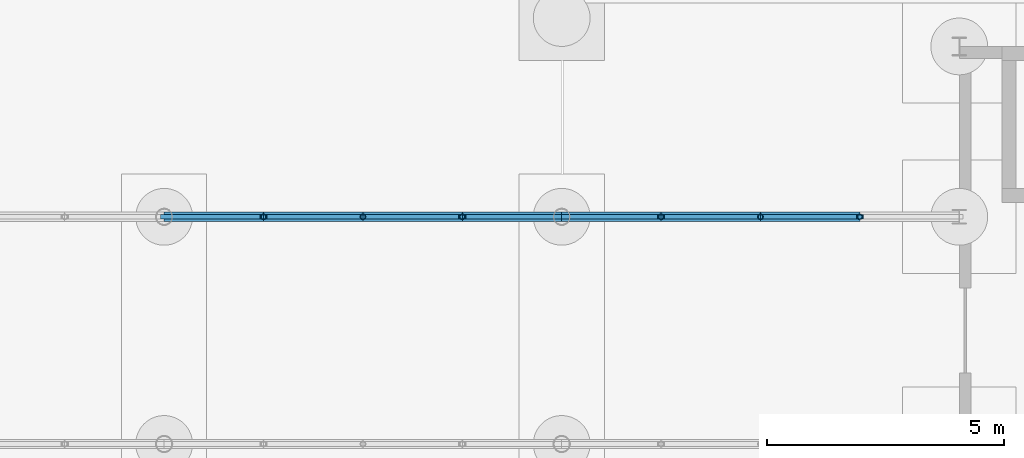
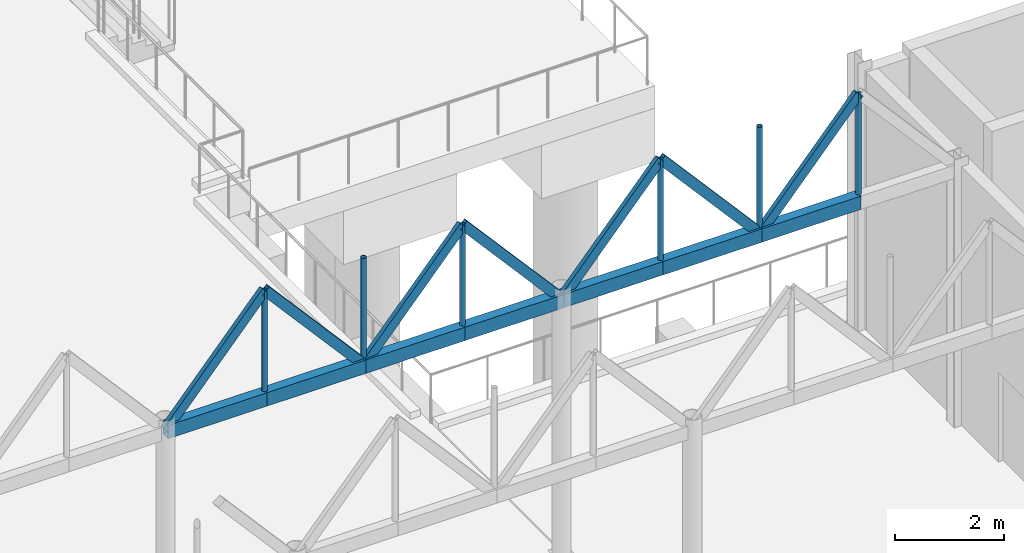
# One storey, part 125 of 212: 20 members.
"""IFC4 building model written with IfcOpenShell, lengths in metres."""

from ifc_helpers import new_model, si_unit, direction, frame, origin, origin_2d, place, context, subcontext, project, spatial, hollow_rectangle, hollow_circle, extrude, material, material_profile, profile_set, type_object, element, save


model = new_model("IFC4")

# Units and contexts
model_context = context("Model", 3, precision=1e-05, world=origin(), true_north=direction((0.0, 1.0)))
body_context = subcontext(model_context, "Body", "Model", "MODEL_VIEW")
ifc_project = project(units=[si_unit("LENGTHUNIT", "METRE"), si_unit("AREAUNIT", "SQUARE_METRE"), si_unit("VOLUMEUNIT", "CUBIC_METRE"), si_unit("PLANEANGLEUNIT", "RADIAN"), si_unit("MASSUNIT", "GRAM", prefix="KILO")], contexts=[model_context])

# Site, building, storey
site_placement = place(None, origin())
site = spatial("IfcSite", under=ifc_project, at=site_placement, CompositionType="ELEMENT")
building_placement = place(site_placement, origin())
building = spatial("IfcBuilding", under=site, at=building_placement, Name="Catenary Quay Ferry Terminal", CompositionType="ELEMENT")
storey_placement = place(building_placement, origin())
storey = spatial("IfcBuildingStorey", under=building, at=storey_placement, Name="L00", CompositionType="ELEMENT", Elevation=0.0)

# Members
ifc_material_1 = material(Name="Steel S355", Category="steel")
ifc_material_profile_1 = material_profile(ifc_material_1, hollow_rectangle(XDim=0.10009765625, YDim=0.199951171875, WallThickness=0.008056640625, at=origin_2d()), Name="RHS 200x100x8")
ifc_profile_set_1 = profile_set([ifc_material_profile_1], Name="Steel S355")
member_type_1 = type_object("IfcMemberType", Name="BR3 RHS 200x100x8", PredefinedType="BRACE", material=ifc_profile_set_1)
member_1_placement = place(storey_placement, frame((109.199951171875, 94.800048828125, 5.699951171875), z_axis=(0.65849918825, 0.0, 0.752581436839), x_axis=(0.0, 1.0, 0.0)))
element("IfcMember", 1, at=member_1_placement, inside=storey, type_object=member_type_1, Name="Bridge diagonal BB2N-D09", PredefinedType="BRACE", context=body_context, shape_type="SweptSolid", body=[
    extrude(hollow_rectangle(XDim=0.10009765625, YDim=0.199951171875, WallThickness=0.008056640625, at=origin_2d()), origin(), (0.0, 0.0, 1.0), 3.189208984375),
])
member_2_placement = place(storey_placement, frame((111.300048828125, 94.800048828125, 8.10009765625), z_axis=(0.658455827614, 0.0, -0.752619374639), x_axis=(0.0, 1.0, 0.0)))
element("IfcMember", 2, at=member_2_placement, inside=storey, type_object=member_type_1, Name="Bridge diagonal BB2N-D10", PredefinedType="BRACE", context=body_context, shape_type="SweptSolid", body=[
    extrude(hollow_rectangle(XDim=0.10009765625, YDim=0.199951171875, WallThickness=0.008056640625, at=origin_2d()), origin(), (0.0, 0.0, 1.0), 3.18896484375),
])
for number, where, z_axis, x_axis, name in (
    (3, (113.39990234375, 94.800048828125, 5.699951171875), (0.65849918825, 0.0, 0.752581436839), (0.0, 1.0, 0.0), "Bridge diagonal BB2N-D11"),
    (4, (115.5, 94.800048828125, 8.10009765625), (0.65849918825, 0.0, -0.752581436839), (0.0, 1.0, 0.0), "Bridge diagonal BB2N-D12"),
):
    element("IfcMember", number, at=place(storey_placement, frame(where, z_axis=z_axis, x_axis=x_axis)), inside=storey, type_object=member_type_1, Name=name, PredefinedType="BRACE", context=body_context, shape_type="SweptSolid", body=[
        extrude(hollow_rectangle(XDim=0.10009765625, YDim=0.199951171875, WallThickness=0.008056640625, at=origin_2d()), origin(), (0.0, 0.0, 1.0), 3.189208984375),
    ])
member_3_placement = place(storey_placement, frame((117.60009765625, 94.800048828125, 5.699951171875), z_axis=(0.658455827614, 0.0, 0.752619374639), x_axis=(0.0, 1.0, 0.0)))
element("IfcMember", 5, at=member_3_placement, inside=storey, type_object=member_type_1, Name="Bridge diagonal BB2N-D13", PredefinedType="BRACE", context=body_context, shape_type="SweptSolid", body=[
    extrude(hollow_rectangle(XDim=0.10009765625, YDim=0.199951171875, WallThickness=0.008056640625, at=origin_2d()), origin(), (0.0, 0.0, 1.0), 3.18896484375),
])
member_4_placement = place(storey_placement, frame((119.699951171875, 94.800048828125, 8.10009765625), z_axis=(0.65849918825, 0.0, -0.752581436839), x_axis=(0.0, 1.0, 0.0)))
element("IfcMember", 6, at=member_4_placement, inside=storey, type_object=member_type_1, Name="Bridge diagonal BB2N-D14", PredefinedType="BRACE", context=body_context, shape_type="SweptSolid", body=[
    extrude(hollow_rectangle(XDim=0.10009765625, YDim=0.199951171875, WallThickness=0.008056640625, at=origin_2d()), origin(), (0.0, 0.0, 1.0), 3.189208984375),
])
member_5_placement = place(storey_placement, frame((121.800048828125, 94.800048828125, 5.699951171875), z_axis=(0.658455827614, 0.0, 0.752619374639), x_axis=(0.0, 1.0, 0.0)))
element("IfcMember", 7, at=member_5_placement, inside=storey, type_object=member_type_1, Name="Bridge diagonal BB2N-D15", PredefinedType="BRACE", context=body_context, shape_type="SweptSolid", body=[
    extrude(hollow_rectangle(XDim=0.10009765625, YDim=0.199951171875, WallThickness=0.008056640625, at=origin_2d()), origin(), (0.0, 0.0, 1.0), 3.18896484375),
])
ifc_material_2 = material(Name="Steel S355", Category="steel")
ifc_material_profile_2 = material_profile(ifc_material_2, hollow_circle(Radius=0.05712890625, WallThickness=0.00634765625, at=origin_2d()), Name="CHS 114.3x6.3")
ifc_profile_set_2 = profile_set([ifc_material_profile_2], Name="Steel S355")
member_type_2 = type_object("IfcMemberType", Name="HG1 CHS 114.3x6.3", PredefinedType="POST", material=ifc_profile_set_2)
for number, where, z_axis, x_axis, name in (
    (8, (111.300048828125, 94.800048828125, 5.699951171875), (0.0, 0.0, 1.0), (1.0, 0.0, 0.0), "Bridge post BB2N-P10"),
    (9, (113.39990234375, 94.800048828125, 5.699951171875), (0.0, 0.0, 1.0), (1.0, 0.0, 0.0), "Bridge post BB2N-P11"),
    (10, (115.5, 94.800048828125, 5.699951171875), (0.0, 0.0, 1.0), (1.0, 0.0, 0.0), "Bridge post BB2N-P12"),
    (11, (119.699951171875, 94.800048828125, 5.699951171875), (0.0, 0.0, 1.0), (1.0, 0.0, 0.0), "Bridge post BB2N-P14"),
    (12, (121.800048828125, 94.800048828125, 5.699951171875), (0.0, 0.0, 1.0), (1.0, 0.0, 0.0), "Bridge post BB2N-P15"),
    (13, (123.89990234375, 94.800048828125, 5.699951171875), (0.0, 0.0, 1.0), (1.0, 0.0, 0.0), "Bridge post BB2N-P16"),
):
    element("IfcMember", number, at=place(storey_placement, frame(where, z_axis=z_axis, x_axis=x_axis)), inside=storey, type_object=member_type_2, Name=name, PredefinedType="POST", context=body_context, shape_type="SweptSolid", body=[
        extrude(hollow_circle(Radius=0.05712890625, WallThickness=0.00634765625, at=origin_2d()), origin(), (0.0, 0.0, 1.0), 2.400146484375),
    ])
ifc_material_3 = material(Name="Steel S355", Category="steel")
ifc_material_profile_3 = material_profile(ifc_material_3, hollow_rectangle(XDim=0.199951171875, YDim=0.300048828125, WallThickness=0.012451171875, at=origin_2d()), Name="RHS 300x200x12.5")
ifc_profile_set_3 = profile_set([ifc_material_profile_3], Name="Steel S355")
member_type_3 = type_object("IfcMemberType", Name="TC1 RHS 300x200x12.5", PredefinedType="CHORD", material=ifc_profile_set_3)
member_6_placement = place(storey_placement, frame((109.199951171875, 94.800048828125, 5.699951171875), z_axis=(1.0, 0.0, 0.0), x_axis=(0.0, 1.0, 0.0)))
element("IfcMember", 14, at=member_6_placement, inside=storey, type_object=member_type_3, Name="Bridge bottom chord BB2N-BC09", PredefinedType="CHORD", context=body_context, shape_type="SweptSolid", body=[
    extrude(hollow_rectangle(XDim=0.199951171875, YDim=0.300048828125, WallThickness=0.012451171875, at=origin_2d()), origin(), (0.0, 0.0, 1.0), 2.10009765625),
])
member_7_placement = place(storey_placement, frame((111.300048828125, 94.800048828125, 5.699951171875), z_axis=(1.0, 0.0, 0.0), x_axis=(0.0, 1.0, 0.0)))
element("IfcMember", 15, at=member_7_placement, inside=storey, type_object=member_type_3, Name="Bridge bottom chord BB2N-BC10", PredefinedType="CHORD", context=body_context, shape_type="SweptSolid", body=[
    extrude(hollow_rectangle(XDim=0.199951171875, YDim=0.300048828125, WallThickness=0.012451171875, at=origin_2d()), origin(), (0.0, 0.0, 1.0), 2.099853515625),
])
for number, where, z_axis, x_axis, name in (
    (16, (113.39990234375, 94.800048828125, 5.699951171875), (1.0, 0.0, 0.0), (0.0, 1.0, 0.0), "Bridge bottom chord BB2N-BC11"),
    (17, (115.5, 94.800048828125, 5.699951171875), (1.0, 0.0, 0.0), (0.0, 1.0, 0.0), "Bridge bottom chord BB2N-BC12"),
):
    element("IfcMember", number, at=place(storey_placement, frame(where, z_axis=z_axis, x_axis=x_axis)), inside=storey, type_object=member_type_3, Name=name, PredefinedType="CHORD", context=body_context, shape_type="SweptSolid", body=[
        extrude(hollow_rectangle(XDim=0.199951171875, YDim=0.300048828125, WallThickness=0.012451171875, at=origin_2d()), origin(), (0.0, 0.0, 1.0), 2.10009765625),
    ])
member_8_placement = place(storey_placement, frame((117.60009765625, 94.800048828125, 5.699951171875), z_axis=(1.0, 0.0, 0.0), x_axis=(0.0, 1.0, 0.0)))
element("IfcMember", 18, at=member_8_placement, inside=storey, type_object=member_type_3, Name="Bridge bottom chord BB2N-BC13", PredefinedType="CHORD", context=body_context, shape_type="SweptSolid", body=[
    extrude(hollow_rectangle(XDim=0.199951171875, YDim=0.300048828125, WallThickness=0.012451171875, at=origin_2d()), origin(), (0.0, 0.0, 1.0), 2.099853515625),
])
member_9_placement = place(storey_placement, frame((119.699951171875, 94.800048828125, 5.699951171875), z_axis=(1.0, 0.0, 0.0), x_axis=(0.0, 1.0, 0.0)))
element("IfcMember", 19, at=member_9_placement, inside=storey, type_object=member_type_3, Name="Bridge bottom chord BB2N-BC14", PredefinedType="CHORD", context=body_context, shape_type="SweptSolid", body=[
    extrude(hollow_rectangle(XDim=0.199951171875, YDim=0.300048828125, WallThickness=0.012451171875, at=origin_2d()), origin(), (0.0, 0.0, 1.0), 2.10009765625),
])
member_10_placement = place(storey_placement, frame((121.800048828125, 94.800048828125, 5.699951171875), z_axis=(1.0, 0.0, 0.0), x_axis=(0.0, 1.0, 0.0)))
element("IfcMember", 20, at=member_10_placement, inside=storey, type_object=member_type_3, Name="Bridge bottom chord BB2N-BC15", PredefinedType="CHORD", context=body_context, shape_type="SweptSolid", body=[
    extrude(hollow_rectangle(XDim=0.199951171875, YDim=0.300048828125, WallThickness=0.012451171875, at=origin_2d()), origin(), (0.0, 0.0, 1.0), 2.099853515625),
])

save(model, "model.ifc")
